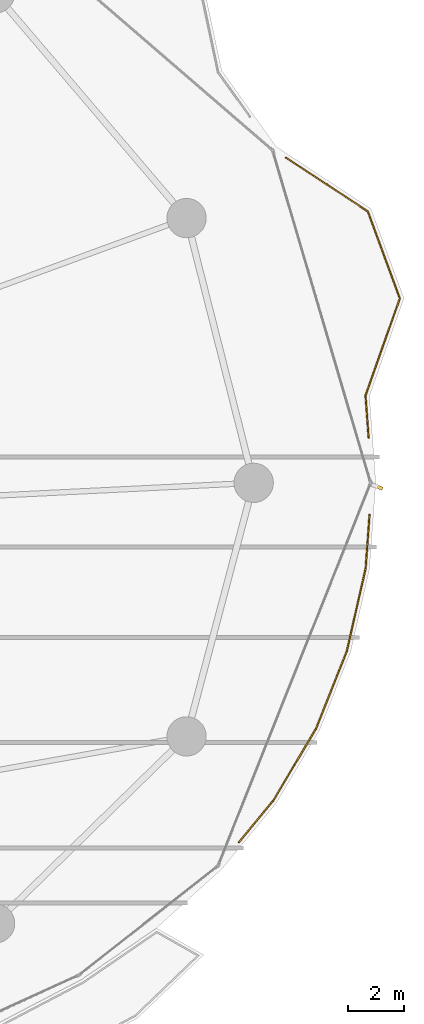
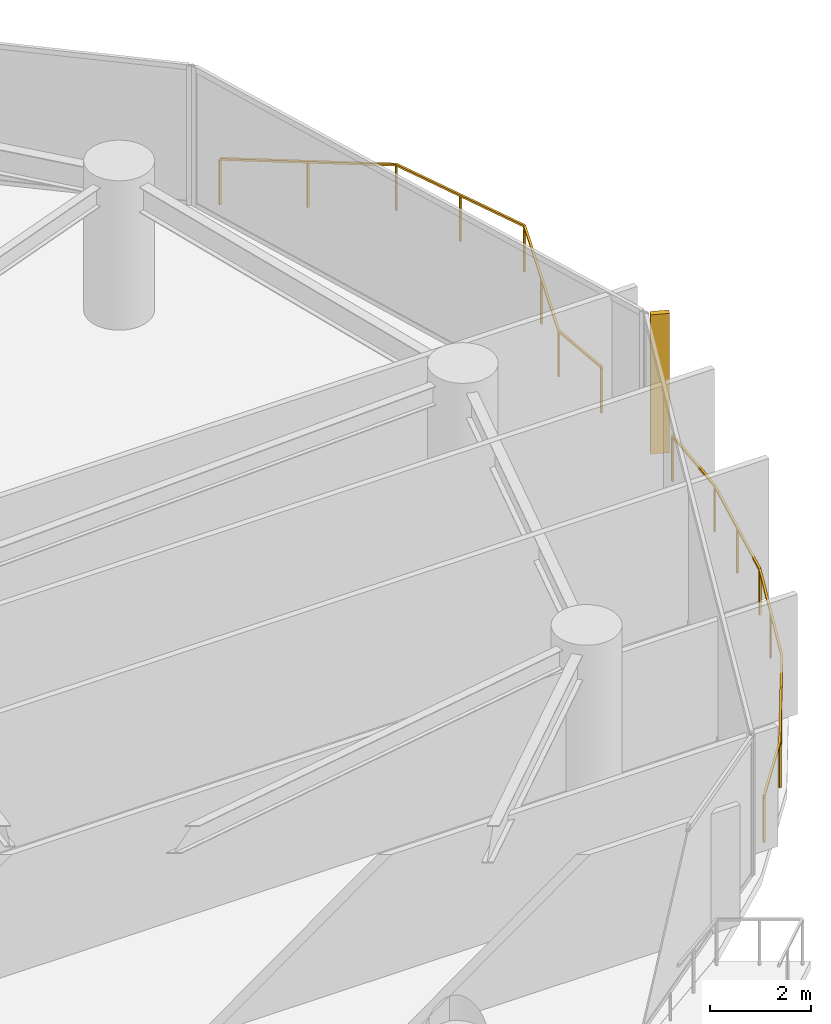
# One storey, part 34 of 34: 2 railings, 1 shading device.
"""IFC4 building model written with IfcOpenShell, lengths in metres."""

from ifc_helpers import new_model, si_unit, direction, frame, origin, origin_2d, place, context, subcontext, project, spatial, rectangle, extrude, material, type_object, element, save


model = new_model("IFC4")

# Units and contexts
model_context = context("Model", 3, precision=1e-05, world=origin(), true_north=direction((0.0, 1.0)))
body_context = subcontext(model_context, "Body", "Model", "MODEL_VIEW")
ifc_project = project(units=[si_unit("LENGTHUNIT", "METRE"), si_unit("AREAUNIT", "SQUARE_METRE"), si_unit("VOLUMEUNIT", "CUBIC_METRE"), si_unit("PLANEANGLEUNIT", "RADIAN"), si_unit("MASSUNIT", "GRAM", prefix="KILO")], contexts=[model_context])

# Site, building, storey
site_placement = place(None, origin())
site = spatial("IfcSite", under=ifc_project, at=site_placement, CompositionType="ELEMENT")
building_placement = place(site_placement, origin())
building = spatial("IfcBuilding", under=site, at=building_placement, Name="Kazevale Care Tower and Concert Hall", CompositionType="ELEMENT")
storey_placement = place(building_placement, frame((0.0, 0.0, 67.199951171875)))
storey = spatial("IfcBuildingStorey", under=building, at=storey_placement, Name="L17", CompositionType="ELEMENT", Elevation=67.199951171875)

# Railings
ifc_material_1 = material(Name="Anodised Bronze Aluminium and Laminated Glass", Category="aluminium")
railing_type = type_object("IfcRailingType", Name="Balcony and Terrace Balustrade 1120", PredefinedType="BALUSTRADE", material=ifc_material_1)
railing_1_placement = place(storey_placement, frame((80.575927734375, 36.864990234375, 0.0)))
element("IfcRailing", 1, at=railing_1_placement, inside=storey, type_object=railing_type, Name="rail:L17:perim:10", PredefinedType="BALUSTRADE", context=body_context, shape_type="SweptSolid", body=[
    extrude(rectangle(XDim=0.048095703125, YDim=0.048095703125, at=origin_2d()), frame((0.0, 0.0, 1.09619140625), z_axis=(-0.072929321708, -0.99733711153, 0.0), x_axis=(0.99733711153, -0.072929321708, 0.0)), (0.0, 0.0, 1.0), 1.918212890625),
    extrude(rectangle(XDim=0.048095703125, YDim=0.048095703125, at=origin_2d()), frame((-0.139892578125, -1.9130859375, 1.09619140625), z_axis=(-0.22169815306, -0.975115341347, 0.0), x_axis=(0.975115341347, -0.22169815306, 0.0)), (0.0, 0.0, 1.0), 3.012939453125),
    extrude(rectangle(XDim=0.048095703125, YDim=0.048095703125, at=origin_2d()), frame((-0.807861328125, -4.85107421875, 1.09619140625), z_axis=(-0.369500413357, -0.92923056586, 0.0), x_axis=(0.92923056586, -0.369500413357, 0.0)), (0.0, 0.0, 1.0), 2.985107421875),
    extrude(rectangle(XDim=0.048095703125, YDim=0.048095703125, at=origin_2d()), frame((-1.910888671875, -7.625, 1.09619140625), z_axis=(-0.510655847211, -0.859785209055, 0.0), x_axis=(0.859785209055, -0.510655847211, 0.0)), (0.0, 0.0, 1.0), 2.986572265625),
    extrude(rectangle(XDim=0.048095703125, YDim=0.048095703125, at=origin_2d()), frame((-3.43603515625, -10.19287109375, 1.09619140625), z_axis=(-0.636478085384, -0.771294785945, 0.0), x_axis=(0.771294785945, -0.636478085384, 0.0)), (0.0, 0.0, 1.0), 1.90869140625),
    extrude(rectangle(XDim=0.0419921875, YDim=0.0419921875, at=origin_2d()), origin(), (0.0, 0.0, 1.0), 1.072021484375),
    extrude(rectangle(XDim=0.0419921875, YDim=0.0419921875, at=origin_2d()), frame((-0.139892578125, -1.9130859375, 0.0)), (0.0, 0.0, 1.0), 1.072021484375),
    extrude(rectangle(XDim=0.0419921875, YDim=0.0419921875, at=origin_2d()), frame((-0.473876953125, -3.382080078125, 0.0)), (0.0, 0.0, 1.0), 1.072021484375),
    extrude(rectangle(XDim=0.0419921875, YDim=0.0419921875, at=origin_2d()), frame((-0.807861328125, -4.85107421875, 0.0)), (0.0, 0.0, 1.0), 1.072021484375),
    extrude(rectangle(XDim=0.0419921875, YDim=0.0419921875, at=origin_2d()), frame((-1.359375, -6.238037109375, 0.0)), (0.0, 0.0, 1.0), 1.072021484375),
    extrude(rectangle(XDim=0.0419921875, YDim=0.0419921875, at=origin_2d()), frame((-1.910888671875, -7.625, 0.0)), (0.0, 0.0, 1.0), 1.072021484375),
    extrude(rectangle(XDim=0.0419921875, YDim=0.0419921875, at=origin_2d()), frame((-2.67333984375, -8.908935546875, 0.0)), (0.0, 0.0, 1.0), 1.072021484375),
    extrude(rectangle(XDim=0.0419921875, YDim=0.0419921875, at=origin_2d()), frame((-3.43603515625, -10.19287109375, 0.0)), (0.0, 0.0, 1.0), 1.072021484375),
    extrude(rectangle(XDim=0.0419921875, YDim=0.0419921875, at=origin_2d()), frame((-4.65087890625, -11.6650390625, 0.0)), (0.0, 0.0, 1.0), 1.072021484375),
])
railing_2_placement = place(storey_placement, frame((77.60205078125, 49.580078125, 0.0)))
element("IfcRailing", 2, at=railing_2_placement, inside=storey, type_object=railing_type, Name="rail:L17:perim:11", PredefinedType="BALUSTRADE", context=body_context, shape_type="SweptSolid", body=[
    extrude(rectangle(XDim=0.048095703125, YDim=0.048095703125, at=origin_2d()), frame((0.0, 0.0, 1.09619140625), z_axis=(0.836080040141, -0.548607479422, 0.0), x_axis=(0.548607479422, 0.836080040141, 0.0)), (0.0, 0.0, 1.0), 3.4853515625),
    extrude(rectangle(XDim=0.048095703125, YDim=0.048095703125, at=origin_2d()), frame((2.9140625, -1.912109375, 1.09619140625), z_axis=(0.34544454401, -0.938439165324, 0.0), x_axis=(0.938439165324, 0.34544454401, 0.0)), (0.0, 0.0, 1.0), 3.296875),
    extrude(rectangle(XDim=0.048095703125, YDim=0.048095703125, at=origin_2d()), frame((4.052978515625, -5.006103515625, 1.09619140625), z_axis=(-0.332566381025, -0.94307984933, 0.0), x_axis=(0.94307984933, -0.332566381025, 0.0)), (0.0, 0.0, 1.0), 3.67431640625),
    extrude(rectangle(XDim=0.048095703125, YDim=0.048095703125, at=origin_2d()), frame((2.8310546875, -8.47119140625, 1.09619140625), z_axis=(0.072904890187, -0.997338897761, 0.0), x_axis=(0.997338897761, 0.072904890187, 0.0)), (0.0, 0.0, 1.0), 1.5068359375),
    extrude(rectangle(XDim=0.0419921875, YDim=0.0419921875, at=origin_2d()), origin(), (0.0, 0.0, 1.0), 1.072021484375),
    extrude(rectangle(XDim=0.0419921875, YDim=0.0419921875, at=origin_2d()), frame((1.45703125, -0.9560546875, 0.0)), (0.0, 0.0, 1.0), 1.072021484375),
    extrude(rectangle(XDim=0.0419921875, YDim=0.0419921875, at=origin_2d()), frame((2.9140625, -1.912109375, 0.0)), (0.0, 0.0, 1.0), 1.072021484375),
    extrude(rectangle(XDim=0.0419921875, YDim=0.0419921875, at=origin_2d()), frame((3.4833984375, -3.458984375, 0.0)), (0.0, 0.0, 1.0), 1.072021484375),
    extrude(rectangle(XDim=0.0419921875, YDim=0.0419921875, at=origin_2d()), frame((4.052978515625, -5.006103515625, 0.0)), (0.0, 0.0, 1.0), 1.072021484375),
    extrude(rectangle(XDim=0.0419921875, YDim=0.0419921875, at=origin_2d()), frame((3.44189453125, -6.73876953125, 0.0)), (0.0, 0.0, 1.0), 1.072021484375),
    extrude(rectangle(XDim=0.0419921875, YDim=0.0419921875, at=origin_2d()), frame((2.8310546875, -8.47119140625, 0.0)), (0.0, 0.0, 1.0), 1.072021484375),
    extrude(rectangle(XDim=0.0419921875, YDim=0.0419921875, at=origin_2d()), frame((2.94091796875, -9.97412109375, 0.0)), (0.0, 0.0, 1.0), 1.072021484375),
])

# Shading device
ifc_material_2 = material(Name="Honed Ochre Limestone", Category="masonry")
shading_device_type = type_object("IfcShadingDeviceType", Name="Vertical Honed Limestone Fin FIN-01", PredefinedType="USERDEFINED", material=ifc_material_2)
shading_device_placement = place(storey_placement, frame((80.861572265625, 37.860595703125, 0.0), z_axis=(0.0, 0.0, 1.0), x_axis=(0.928874213199, -0.370395324019, 0.0)))
element("IfcShadingDevice", 3, at=shading_device_placement, inside=storey, type_object=shading_device_type, Name="cw:L17:f01:fin", ObjectType="FIN", PredefinedType="USERDEFINED", context=body_context, shape_type="SweptSolid", body=[
    extrude(rectangle(XDim=0.3798828125, YDim=0.1201171875, at=origin_2d()), origin(), (0.0, 0.0, 1.0), 3.360107421875),
])

save(model, "model.ifc")
